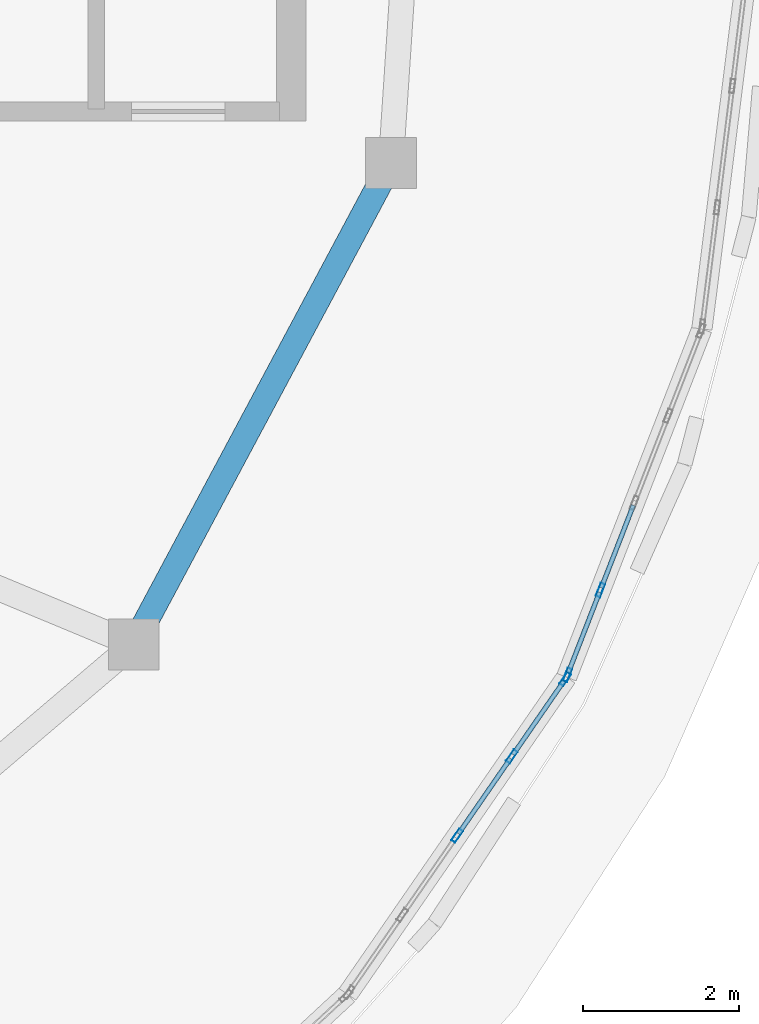
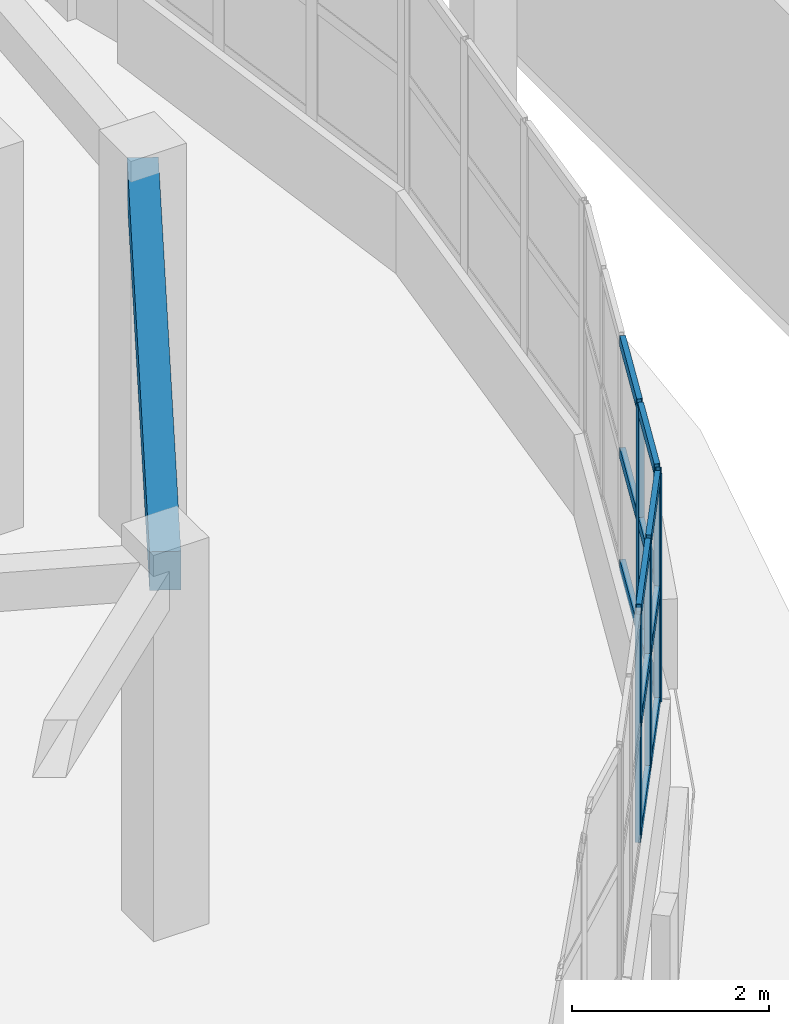
# One storey, part 54 of 105: 17 members, 1 beam, 2 elements without a shape of their own.
"""IFC4 building model written with IfcOpenShell, lengths in metres."""

from ifc_helpers import new_model, si_unit, direction, frame, origin, origin_2d, place, context, subcontext, project, spatial, rectangle, hollow_rectangle, extrude, material, layer, layer_set, material_profile, profile_set, type_object, element, aggregate, save


model = new_model("IFC4")

# Units and contexts
model_context = context("Model", 3, precision=1e-05, world=origin(), true_north=direction((0.0, 1.0)))
body_context = subcontext(model_context, "Body", "Model", "MODEL_VIEW")
ifc_project = project(units=[si_unit("LENGTHUNIT", "METRE"), si_unit("AREAUNIT", "SQUARE_METRE"), si_unit("VOLUMEUNIT", "CUBIC_METRE"), si_unit("PLANEANGLEUNIT", "RADIAN"), si_unit("MASSUNIT", "GRAM", prefix="KILO")], contexts=[model_context])

# Site, building, storey
site_placement = place(None, origin())
site = spatial("IfcSite", under=ifc_project, at=site_placement, CompositionType="ELEMENT")
building_placement = place(site_placement, origin())
building = spatial("IfcBuilding", under=site, at=building_placement, Name="Pelvatis Terrace Science Centre", CompositionType="ELEMENT")
storey_placement = place(building_placement, frame((0.0, 0.0, 10.199951171875)))
storey = spatial("IfcBuildingStorey", under=building, at=storey_placement, Name="L02", CompositionType="ELEMENT", Elevation=10.199951171875)

# Beam
ifc_material_1 = material(Name="Concrete C35/45", Category="concrete")
ifc_material_profile_1 = material_profile(ifc_material_1, rectangle(XDim=0.320068359375, YDim=0.47998046875, at=origin_2d()), Name="RC-BM 320x480")
ifc_profile_set_1 = profile_set([ifc_material_profile_1], Name="Concrete C35/45")
beam_type = type_object("IfcBeamType", Name="BM-RC-320x480", PredefinedType="BEAM", material=ifc_profile_set_1)
beam_placement = place(storey_placement, frame((129.57958984375, 74.6884765625, 4.300048828125), z_axis=(0.471365103295, 0.881938172094, 0.0), x_axis=(-0.881938172094, 0.471365103295, 0.0)))
element("IfcBeam", 1, at=beam_placement, inside=storey, type_object=beam_type, Name="Beam BM-L02-2921", PredefinedType="BEAM", context=body_context, shape_type="SweptSolid", body=[
    extrude(rectangle(XDim=0.320068359375, YDim=0.47998046875, at=origin_2d()), origin(), (0.0, 0.0, 1.0), 6.995849609375),
])

# Curtain wall, members
ifc_material_2 = material(Name="Bronze-anodised aluminium and laminated glass", Category="aluminium")
ifc_layer = layer(ifc_material_2, 0.179931640625)
ifc_layer_set = layer_set([ifc_layer], Name="Bronze-anodised aluminium and laminated glass")
curtain_wall_type = type_object("IfcCurtainWallType", Name="CW-RIBBON-A", PredefinedType="NOTDEFINED", material=ifc_layer_set)
curtain_wall_1_placement = place(storey_placement, origin())
curtain_wall_1 = element("IfcCurtainWall", 2, at=curtain_wall_1_placement, inside=storey, type_object=curtain_wall_type, Name="Ribbon curtain wall CW-180 (L02)", PredefinedType="NOTDEFINED")
ifc_material_3 = material(Name="Bronze-anodised aluminium 6063-T6", Category="aluminium")
ifc_material_profile_2 = material_profile(ifc_material_3, hollow_rectangle(XDim=0.06005859375, YDim=0.179931640625, WallThickness=0.00390625, at=origin_2d()), Name="ALU-MUL 60x180")
ifc_profile_set_2 = profile_set([ifc_material_profile_2], Name="Bronze-anodised aluminium 6063-T6")
member_type_1 = type_object("IfcMemberType", Name="CWM-60x180", PredefinedType="MULLION", material=ifc_profile_set_2)
member_1_placement = place(storey_placement, frame((133.725341796875, 72.236572265625, 1.02001953125), z_axis=(0.0, 0.0, 1.0), x_axis=(-0.822888336113, 0.568203120626, 0.0)))
member_1 = element("IfcMember", 3, at=member_1_placement, type_object=member_type_1, Name="CW-180 mullion 3", PredefinedType="MULLION", context=body_context, shape_type="SweptSolid", body=[
    extrude(hollow_rectangle(XDim=0.06005859375, YDim=0.179931640625, WallThickness=0.00390625, at=origin_2d()), origin(), (0.0, 0.0, 1.0), 2.840087890625),
])
member_2_placement = place(storey_placement, frame((134.427001953125, 73.252685546875, 1.02001953125), z_axis=(0.0, 0.0, 1.0), x_axis=(-0.822888336113, 0.568203120626, 0.0)))
member_2 = element("IfcMember", 4, at=member_2_placement, type_object=member_type_1, Name="CW-180 mullion 4", PredefinedType="MULLION", context=body_context, shape_type="SweptSolid", body=[
    extrude(hollow_rectangle(XDim=0.06005859375, YDim=0.179931640625, WallThickness=0.00390625, at=origin_2d()), origin(), (0.0, 0.0, 1.0), 2.840087890625),
])
member_3_placement = place(storey_placement, frame((135.111572265625, 74.244140625, 1.02001953125), z_axis=(0.0, 0.0, 1.0), x_axis=(-0.822888336113, 0.568203120626, 0.0)))
member_3 = element("IfcMember", 5, at=member_3_placement, type_object=member_type_1, Name="CW-180 mullion 5", PredefinedType="MULLION", context=body_context, shape_type="SweptSolid", body=[
    extrude(hollow_rectangle(XDim=0.06005859375, YDim=0.179931640625, WallThickness=0.00390625, at=origin_2d()), origin(), (0.0, 0.0, 1.0), 2.840087890625),
])

curtain_wall_2_placement = place(storey_placement, origin())
curtain_wall_2 = element("IfcCurtainWall", 6, at=curtain_wall_2_placement, inside=storey, type_object=curtain_wall_type, Name="Ribbon curtain wall CW-181 (L02)", PredefinedType="NOTDEFINED")
member_4_placement = place(storey_placement, frame((135.1396484375, 74.296875, 1.02001953125), z_axis=(0.0, 0.0, 1.0), x_axis=(-0.932092427313, 0.362220522536, 0.0)))
member_4 = element("IfcMember", 7, at=member_4_placement, type_object=member_type_1, Name="CW-181 mullion 1", PredefinedType="MULLION", context=body_context, shape_type="SweptSolid", body=[
    extrude(hollow_rectangle(XDim=0.06005859375, YDim=0.179931640625, WallThickness=0.00390625, at=origin_2d()), origin(), (0.0, 0.0, 1.0), 2.840087890625),
])
member_5_placement = place(storey_placement, frame((135.562255859375, 75.384765625, 1.02001953125), z_axis=(0.0, 0.0, 1.0), x_axis=(-0.932092427313, 0.362220522536, 0.0)))
member_5 = element("IfcMember", 8, at=member_5_placement, type_object=member_type_1, Name="CW-181 mullion 2", PredefinedType="MULLION", context=body_context, shape_type="SweptSolid", body=[
    extrude(hollow_rectangle(XDim=0.06005859375, YDim=0.179931640625, WallThickness=0.00390625, at=origin_2d()), origin(), (0.0, 0.0, 1.0), 2.840087890625),
])

# Member
ifc_material_4 = material(Name="Bronze-anodised aluminium 6063-T6", Category="aluminium")
ifc_material_profile_3 = material_profile(ifc_material_4, hollow_rectangle(XDim=0.06005859375, YDim=0.139892578125, WallThickness=0.00390625, at=origin_2d()), Name="ALU-TRN 60x140")
ifc_profile_set_3 = profile_set([ifc_material_profile_3], Name="Bronze-anodised aluminium 6063-T6")
member_type_2 = type_object("IfcMemberType", Name="CWT-60x140", PredefinedType="USERDEFINED", material=ifc_profile_set_3)
member_6_placement = place(storey_placement, frame((133.742431640625, 72.26123046875, 1.050048828125), z_axis=(0.568150510698, 0.822924660703, 0.0), x_axis=(-0.822924660703, 0.568150510698, 0.0)))
member_6 = element("IfcMember", 9, at=member_6_placement, type_object=member_type_2, Name="CW-180 transom 3.1", ObjectType="TRANSOM", PredefinedType="USERDEFINED", context=body_context, shape_type="SweptSolid", body=[
    extrude(hollow_rectangle(XDim=0.06005859375, YDim=0.139892578125, WallThickness=0.00390625, at=origin_2d()), origin(), (0.0, 0.0, 1.0), 1.1748046875),
])

member_7_placement = place(storey_placement, frame((133.742431640625, 72.26123046875, 2.43994140625), z_axis=(0.568150510698, 0.822924660703, 0.0), x_axis=(-0.822924660703, 0.568150510698, 0.0)))
member_7 = element("IfcMember", 10, at=member_7_placement, type_object=member_type_2, Name="CW-180 transom 3.2", ObjectType="TRANSOM", PredefinedType="USERDEFINED", context=body_context, shape_type="SweptSolid", body=[
    extrude(hollow_rectangle(XDim=0.06005859375, YDim=0.139892578125, WallThickness=0.00390625, at=origin_2d()), origin(), (0.0, 0.0, 1.0), 1.1748046875),
])

member_8_placement = place(storey_placement, frame((133.742431640625, 72.26123046875, 3.830078125), z_axis=(0.568150510698, 0.822924660703, 0.0), x_axis=(-0.822924660703, 0.568150510698, 0.0)))
member_8 = element("IfcMember", 11, at=member_8_placement, type_object=member_type_2, Name="CW-180 transom 3.3", ObjectType="TRANSOM", PredefinedType="USERDEFINED", context=body_context, shape_type="SweptSolid", body=[
    extrude(hollow_rectangle(XDim=0.06005859375, YDim=0.139892578125, WallThickness=0.00390625, at=origin_2d()), origin(), (0.0, 0.0, 1.0), 1.1748046875),
])

member_9_placement = place(storey_placement, frame((134.444091796875, 73.27734375, 1.050048828125), z_axis=(0.568256034666, 0.822851796538, 0.0), x_axis=(-0.822851796538, 0.568256034666, 0.0)))
member_9 = element("IfcMember", 12, at=member_9_placement, type_object=member_type_2, Name="CW-180 transom 4.1", ObjectType="TRANSOM", PredefinedType="USERDEFINED", context=body_context, shape_type="SweptSolid", body=[
    extrude(hollow_rectangle(XDim=0.06005859375, YDim=0.139892578125, WallThickness=0.00390625, at=origin_2d()), origin(), (0.0, 0.0, 1.0), 1.14501953125),
])

member_10_placement = place(storey_placement, frame((134.444091796875, 73.27734375, 2.43994140625), z_axis=(0.568256034666, 0.822851796538, 0.0), x_axis=(-0.822851796538, 0.568256034666, 0.0)))
member_10 = element("IfcMember", 13, at=member_10_placement, type_object=member_type_2, Name="CW-180 transom 4.2", ObjectType="TRANSOM", PredefinedType="USERDEFINED", context=body_context, shape_type="SweptSolid", body=[
    extrude(hollow_rectangle(XDim=0.06005859375, YDim=0.139892578125, WallThickness=0.00390625, at=origin_2d()), origin(), (0.0, 0.0, 1.0), 1.14501953125),
])

member_11_placement = place(storey_placement, frame((134.444091796875, 73.27734375, 3.830078125), z_axis=(0.568256034666, 0.822851796538, 0.0), x_axis=(-0.822851796538, 0.568256034666, 0.0)))
member_11 = element("IfcMember", 14, at=member_11_placement, type_object=member_type_2, Name="CW-180 transom 4.3", ObjectType="TRANSOM", PredefinedType="USERDEFINED", context=body_context, shape_type="SweptSolid", body=[
    extrude(hollow_rectangle(XDim=0.06005859375, YDim=0.139892578125, WallThickness=0.00390625, at=origin_2d()), origin(), (0.0, 0.0, 1.0), 1.14501953125),
])

aggregate(curtain_wall_1, [member_1, member_2, member_3, member_6, member_7, member_8, member_9, member_10, member_11])

member_12_placement = place(storey_placement, frame((135.150390625, 74.32470703125, 1.050048828125), z_axis=(0.362286642314, 0.9320667298, 0.0), x_axis=(-0.9320667298, 0.362286642314, 0.0)))
member_12 = element("IfcMember", 15, at=member_12_placement, type_object=member_type_2, Name="CW-181 transom 1.1", ObjectType="TRANSOM", PredefinedType="USERDEFINED", context=body_context, shape_type="SweptSolid", body=[
    extrude(hollow_rectangle(XDim=0.06005859375, YDim=0.139892578125, WallThickness=0.00390625, at=origin_2d()), origin(), (0.0, 0.0, 1.0), 1.107177734375),
])

member_13_placement = place(storey_placement, frame((135.150390625, 74.32470703125, 2.43994140625), z_axis=(0.362286642314, 0.9320667298, 0.0), x_axis=(-0.9320667298, 0.362286642314, 0.0)))
member_13 = element("IfcMember", 16, at=member_13_placement, type_object=member_type_2, Name="CW-181 transom 1.2", ObjectType="TRANSOM", PredefinedType="USERDEFINED", context=body_context, shape_type="SweptSolid", body=[
    extrude(hollow_rectangle(XDim=0.06005859375, YDim=0.139892578125, WallThickness=0.00390625, at=origin_2d()), origin(), (0.0, 0.0, 1.0), 1.107177734375),
])

member_14_placement = place(storey_placement, frame((135.150390625, 74.32470703125, 3.830078125), z_axis=(0.362286642314, 0.9320667298, 0.0), x_axis=(-0.9320667298, 0.362286642314, 0.0)))
member_14 = element("IfcMember", 17, at=member_14_placement, type_object=member_type_2, Name="CW-181 transom 1.3", ObjectType="TRANSOM", PredefinedType="USERDEFINED", context=body_context, shape_type="SweptSolid", body=[
    extrude(hollow_rectangle(XDim=0.06005859375, YDim=0.139892578125, WallThickness=0.00390625, at=origin_2d()), origin(), (0.0, 0.0, 1.0), 1.107177734375),
])

member_15_placement = place(storey_placement, frame((135.5732421875, 75.41259765625, 1.050048828125), z_axis=(0.362156173801, 0.932117431324, 0.0), x_axis=(-0.932117431324, 0.362156173801, 0.0)))
member_15 = element("IfcMember", 18, at=member_15_placement, type_object=member_type_2, Name="CW-181 transom 2.1", ObjectType="TRANSOM", PredefinedType="USERDEFINED", context=body_context, shape_type="SweptSolid", body=[
    extrude(hollow_rectangle(XDim=0.06005859375, YDim=0.139892578125, WallThickness=0.00390625, at=origin_2d()), origin(), (0.0, 0.0, 1.0), 1.13720703125),
])

member_16_placement = place(storey_placement, frame((135.5732421875, 75.41259765625, 2.43994140625), z_axis=(0.362156173801, 0.932117431324, 0.0), x_axis=(-0.932117431324, 0.362156173801, 0.0)))
member_16 = element("IfcMember", 19, at=member_16_placement, type_object=member_type_2, Name="CW-181 transom 2.2", ObjectType="TRANSOM", PredefinedType="USERDEFINED", context=body_context, shape_type="SweptSolid", body=[
    extrude(hollow_rectangle(XDim=0.06005859375, YDim=0.139892578125, WallThickness=0.00390625, at=origin_2d()), origin(), (0.0, 0.0, 1.0), 1.13720703125),
])

member_17_placement = place(storey_placement, frame((135.5732421875, 75.41259765625, 3.830078125), z_axis=(0.362156173801, 0.932117431324, 0.0), x_axis=(-0.932117431324, 0.362156173801, 0.0)))
member_17 = element("IfcMember", 20, at=member_17_placement, type_object=member_type_2, Name="CW-181 transom 2.3", ObjectType="TRANSOM", PredefinedType="USERDEFINED", context=body_context, shape_type="SweptSolid", body=[
    extrude(hollow_rectangle(XDim=0.06005859375, YDim=0.139892578125, WallThickness=0.00390625, at=origin_2d()), origin(), (0.0, 0.0, 1.0), 1.13720703125),
])

aggregate(curtain_wall_2, [member_4, member_5, member_12, member_13, member_14, member_15, member_16, member_17])

save(model, "model.ifc")
